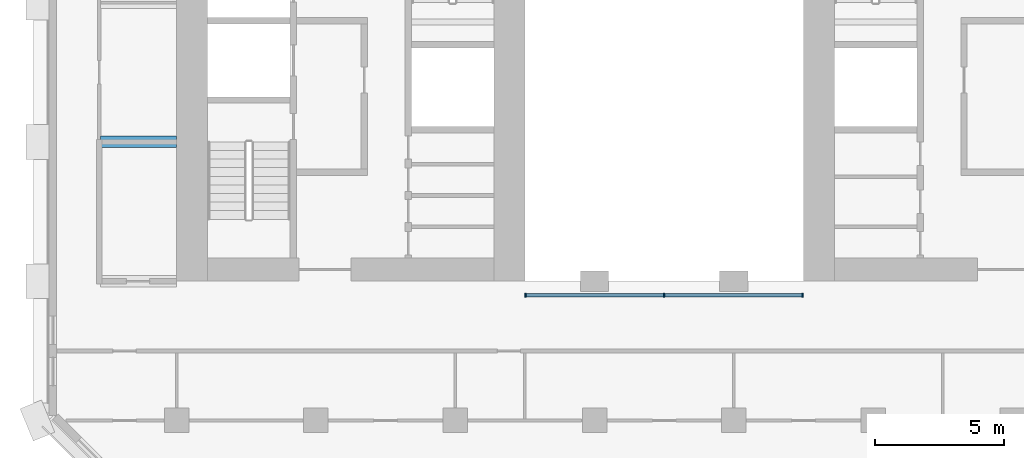
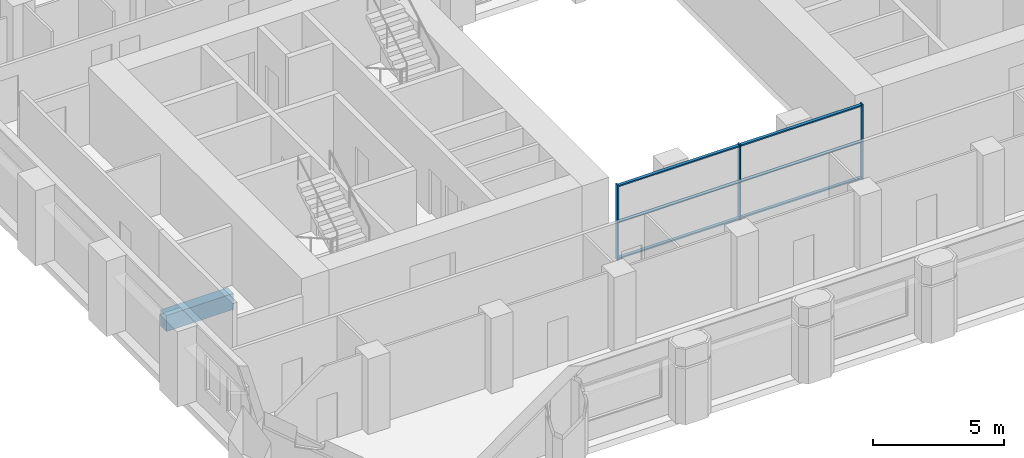
# One storey, part 2 of 12: 9 members, 1 beam, 1 element without a shape of its own.
"""IFC4 building model written with IfcOpenShell, lengths in metres."""

from ifc_helpers import new_model, si_unit, direction, frame, origin, origin_2d, place, context, subcontext, project, spatial, rectangle, extrude, material, material_profile, profile_set, type_object, element, aggregate, save


model = new_model("IFC4")

# Units and contexts
model_context = context("Model", 3, precision=1e-05, world=origin(), true_north=direction((0.0, 1.0)))
body_context = subcontext(model_context, "Body", "Model", "MODEL_VIEW")
ifc_project = project(units=[si_unit("LENGTHUNIT", "METRE"), si_unit("AREAUNIT", "SQUARE_METRE"), si_unit("VOLUMEUNIT", "CUBIC_METRE"), si_unit("PLANEANGLEUNIT", "RADIAN"), si_unit("MASSUNIT", "GRAM", prefix="KILO")], contexts=[model_context])

# Site, building, storey
site_placement = place(None, origin())
site = spatial("IfcSite", under=ifc_project, at=site_placement, CompositionType="ELEMENT")
building_placement = place(site_placement, origin())
building = spatial("IfcBuilding", under=site, at=building_placement, Name="Tabaq Tower and Sports Hall", CompositionType="ELEMENT")
storey_placement = place(building_placement, frame((0.0, 0.0, 99.199951171875)))
storey = spatial("IfcBuildingStorey", under=building, at=storey_placement, Name="L23", CompositionType="ELEMENT", Elevation=99.199951171875)

# Curtain wall, members
ifc_material_1 = material(Name="Aluminium alloy 6063-T6 framed glazing", Category="aluminium")
curtain_wall_type = type_object("IfcCurtainWallType", Name="CW1 curtain wall", PredefinedType="USERDEFINED", material=ifc_material_1)
curtain_wall_placement = place(storey_placement, origin())
curtain_wall = element("IfcCurtainWall", 1, at=curtain_wall_placement, inside=storey, type_object=curtain_wall_type, Name="Atrium glazing L23 S", ObjectType="ATRIUM ENCLOSURE", PredefinedType="USERDEFINED")
ifc_material_2 = material(Name="Aluminium alloy 6063-T6", Category="aluminium")
ifc_material_profile_1 = material_profile(ifc_material_2, rectangle(XDim=0.159912109375, YDim=0.06005859375, at=origin_2d()), Name="MULLION 160x60")
ifc_profile_set_1 = profile_set([ifc_material_profile_1], Name="Aluminium alloy 6063-T6")
member_type_1 = type_object("IfcMemberType", Name="CW1 mullion 160x60", PredefinedType="MULLION", material=ifc_profile_set_1)
member_1_placement = place(storey_placement, frame((18.929931640625, 15.64990234375, 0.0), z_axis=(0.0, 0.0, 1.0), x_axis=(0.0, 1.0, 0.0)))
member_1 = element("IfcMember", 2, at=member_1_placement, type_object=member_type_1, Name="CW1 mullion 1", PredefinedType="MULLION", context=body_context, shape_type="SweptSolid", body=[
    extrude(rectangle(XDim=0.159912109375, YDim=0.06005859375, at=origin_2d()), origin(), (0.0, 0.0, 1.0), 3.5),
])
member_2_placement = place(storey_placement, frame((24.300048828125, 15.64990234375, 0.0), z_axis=(0.0, 0.0, 1.0), x_axis=(0.0, 1.0, 0.0)))
member_2 = element("IfcMember", 3, at=member_2_placement, type_object=member_type_1, Name="CW1 mullion 2", PredefinedType="MULLION", context=body_context, shape_type="SweptSolid", body=[
    extrude(rectangle(XDim=0.159912109375, YDim=0.06005859375, at=origin_2d()), origin(), (0.0, 0.0, 1.0), 3.5),
])
member_3_placement = place(storey_placement, frame((29.669921875, 15.64990234375, 0.0), z_axis=(0.0, 0.0, 1.0), x_axis=(0.0, 1.0, 0.0)))
member_3 = element("IfcMember", 4, at=member_3_placement, type_object=member_type_1, Name="CW1 mullion 3", PredefinedType="MULLION", context=body_context, shape_type="SweptSolid", body=[
    extrude(rectangle(XDim=0.159912109375, YDim=0.06005859375, at=origin_2d()), origin(), (0.0, 0.0, 1.0), 3.5),
])
ifc_material_3 = material(Name="Aluminium alloy 6063-T6", Category="aluminium")
ifc_material_profile_2 = material_profile(ifc_material_3, rectangle(XDim=0.139892578125, YDim=0.06005859375, at=origin_2d()), Name="TRANSOM 140x60")
ifc_profile_set_2 = profile_set([ifc_material_profile_2], Name="Aluminium alloy 6063-T6")
member_type_2 = type_object("IfcMemberType", Name="CW1 transom 140x60", PredefinedType="USERDEFINED", material=ifc_profile_set_2)
member_4_placement = place(storey_placement, frame((18.9599609375, 15.64990234375, 0.070068359375), z_axis=(1.0, 0.0, 0.0), x_axis=(0.0, 1.0, 0.0)))
member_4 = element("IfcMember", 5, at=member_4_placement, type_object=member_type_2, Name="CW1 transom 1.1", ObjectType="TRANSOM", PredefinedType="USERDEFINED", context=body_context, shape_type="SweptSolid", body=[
    extrude(rectangle(XDim=0.139892578125, YDim=0.06005859375, at=origin_2d()), origin(), (0.0, 0.0, 1.0), 5.31005859375),
])
member_5_placement = place(storey_placement, frame((18.9599609375, 15.64990234375, 1.75), z_axis=(1.0, 0.0, 0.0), x_axis=(0.0, 1.0, 0.0)))
member_5 = element("IfcMember", 6, at=member_5_placement, type_object=member_type_2, Name="CW1 transom 1.2", ObjectType="TRANSOM", PredefinedType="USERDEFINED", context=body_context, shape_type="SweptSolid", body=[
    extrude(rectangle(XDim=0.139892578125, YDim=0.06005859375, at=origin_2d()), origin(), (0.0, 0.0, 1.0), 5.31005859375),
])
member_6_placement = place(storey_placement, frame((18.9599609375, 15.64990234375, 3.429931640625), z_axis=(1.0, 0.0, 0.0), x_axis=(0.0, 1.0, 0.0)))
member_6 = element("IfcMember", 7, at=member_6_placement, type_object=member_type_2, Name="CW1 transom 1.3", ObjectType="TRANSOM", PredefinedType="USERDEFINED", context=body_context, shape_type="SweptSolid", body=[
    extrude(rectangle(XDim=0.139892578125, YDim=0.06005859375, at=origin_2d()), origin(), (0.0, 0.0, 1.0), 5.31005859375),
])
member_7_placement = place(storey_placement, frame((24.330078125, 15.64990234375, 0.070068359375), z_axis=(1.0, 0.0, 0.0), x_axis=(0.0, 1.0, 0.0)))
member_7 = element("IfcMember", 8, at=member_7_placement, type_object=member_type_2, Name="CW1 transom 2.1", ObjectType="TRANSOM", PredefinedType="USERDEFINED", context=body_context, shape_type="SweptSolid", body=[
    extrude(rectangle(XDim=0.139892578125, YDim=0.06005859375, at=origin_2d()), origin(), (0.0, 0.0, 1.0), 5.309814453125),
])
member_8_placement = place(storey_placement, frame((24.330078125, 15.64990234375, 1.75), z_axis=(1.0, 0.0, 0.0), x_axis=(0.0, 1.0, 0.0)))
member_8 = element("IfcMember", 9, at=member_8_placement, type_object=member_type_2, Name="CW1 transom 2.2", ObjectType="TRANSOM", PredefinedType="USERDEFINED", context=body_context, shape_type="SweptSolid", body=[
    extrude(rectangle(XDim=0.139892578125, YDim=0.06005859375, at=origin_2d()), origin(), (0.0, 0.0, 1.0), 5.309814453125),
])
member_9_placement = place(storey_placement, frame((24.330078125, 15.64990234375, 3.429931640625), z_axis=(1.0, 0.0, 0.0), x_axis=(0.0, 1.0, 0.0)))
member_9 = element("IfcMember", 10, at=member_9_placement, type_object=member_type_2, Name="CW1 transom 2.3", ObjectType="TRANSOM", PredefinedType="USERDEFINED", context=body_context, shape_type="SweptSolid", body=[
    extrude(rectangle(XDim=0.139892578125, YDim=0.06005859375, at=origin_2d()), origin(), (0.0, 0.0, 1.0), 5.309814453125),
])
aggregate(curtain_wall, [member_1, member_2, member_3, member_4, member_5, member_6, member_7, member_8, member_9])

# Beam
ifc_material_4 = material(Name="Concrete C40/50", Category="concrete")
ifc_material_profile_3 = material_profile(ifc_material_4, rectangle(XDim=0.449951171875, YDim=0.75, at=origin_2d()), Name="CB 450x750")
ifc_profile_set_3 = profile_set([ifc_material_profile_3], Name="Concrete C40/50")
beam_type = type_object("IfcBeamType", Name="PT CANTILEVER BEAM CB 450x750 C40/50", PredefinedType="BEAM", material=ifc_profile_set_3)
beam_placement = place(storey_placement, frame((2.449951171875, 21.60009765625, -0.675048828125), z_axis=(1.0, 0.0, 0.0), x_axis=(0.0, 1.0, 0.0)))
element("IfcBeam", 11, at=beam_placement, inside=storey, type_object=beam_type, Name="Cantilever Beam L23 W4 span 1", PredefinedType="BEAM", context=body_context, shape_type="SweptSolid", body=[
    extrude(rectangle(XDim=0.449951171875, YDim=0.75, at=origin_2d()), origin(), (0.0, 0.0, 1.0), 2.949951171875),
])

save(model, "model.ifc")
